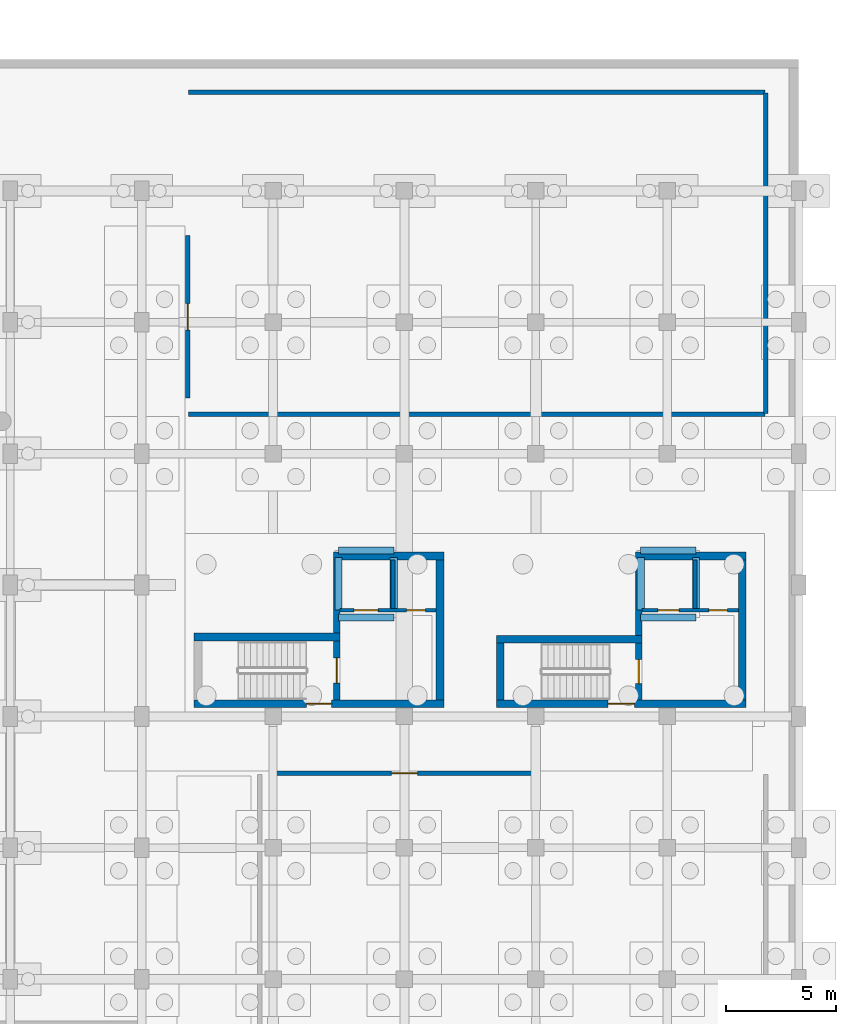
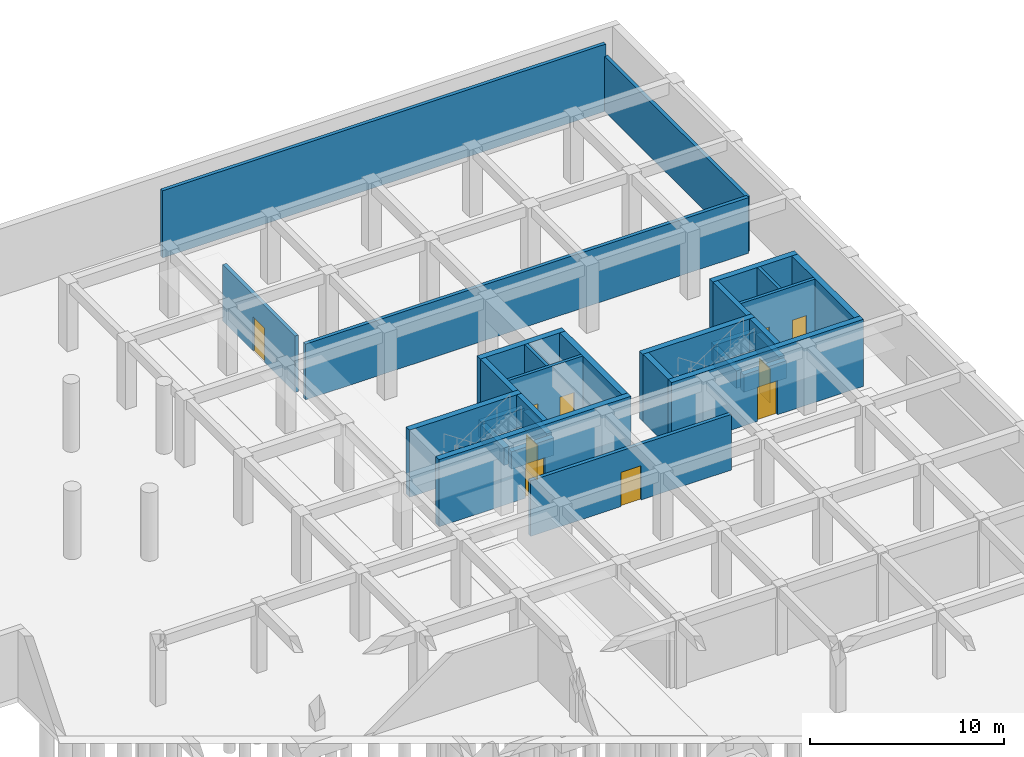
# One storey, part 34 of 41: 30 walls, 10 doors, 10 openings.
"""IFC4 building model written with IfcOpenShell, lengths in metres."""

from ifc_helpers import new_model, si_unit, direction, frame, frame_2d, origin, place, context, subcontext, project, spatial, rectangle, extrude, material, layer, layer_set, type_object, element, fill, save


model = new_model("IFC4")

# Units and contexts
model_context = context("Model", 3, precision=1e-05, world=origin(), true_north=direction((0.0, 1.0)))
body_context = subcontext(model_context, "Body", "Model", "MODEL_VIEW")
ifc_project = project(units=[si_unit("LENGTHUNIT", "METRE"), si_unit("AREAUNIT", "SQUARE_METRE"), si_unit("VOLUMEUNIT", "CUBIC_METRE"), si_unit("PLANEANGLEUNIT", "RADIAN"), si_unit("MASSUNIT", "GRAM", prefix="KILO"), si_unit("POWERUNIT", "WATT"), si_unit("THERMODYNAMICTEMPERATUREUNIT", "KELVIN")], contexts=[model_context])

# Site, building, storey
site_placement = place(None, origin())
site = spatial("IfcSite", under=ifc_project, at=site_placement, CompositionType="ELEMENT")
building_placement = place(site_placement, origin())
building = spatial("IfcBuilding", under=site, at=building_placement, Name="Ruvembo Vaulted Housing Court", CompositionType="ELEMENT")
storey_placement = place(building_placement, frame((0.0, 0.0, -4.5)))
storey = spatial("IfcBuildingStorey", under=building, at=storey_placement, Name="B1", CompositionType="ELEMENT", Elevation=-4.5)

# Wall, opening, door
ifc_material_1 = material(Name="Concrete C35/45", Category="concrete")
ifc_layer_1 = layer(ifc_material_1, 0.300048828125, Name="Concrete C35/45")
ifc_layer_set_1 = layer_set([ifc_layer_1], Name="Concrete C35/45")
wall_type_1 = type_object("IfcWallType", Name="WL-CORE-300", PredefinedType="SHEAR", material=ifc_layer_set_1)
wall_1_placement = place(storey_placement, frame((164.89990234375, 84.75, 0.0), z_axis=(0.0, 0.0, 1.0), x_axis=(0.0, 1.0, 0.0)))
wall_1 = element("IfcWall", 1, at=wall_1_placement, inside=storey, type_object=wall_type_1, Name="Core D1 B1 Stair-Lobby Shear Wall", PredefinedType="SHEAR", context=body_context, shape_type="SweptSolid", body=[
    extrude(rectangle(XDim=2.699951171875, YDim=0.300048828125, at=frame_2d((1.35009765625, 0.0))), origin(), (0.0, 0.0, 1.0), 4.215087890625),
])
opening_1_placement = place(wall_1_placement, frame((0.77490234375, 0.0, 0.0)))
opening_1 = element("IfcOpeningElement", 2, at=opening_1_placement, cuts=wall_1, Name="Opening SD1", PredefinedType="OPENING", context=body_context, shape_type="SweptSolid", body=[
    extrude(rectangle(XDim=1.14990234375, YDim=2.14990234375, at=frame_2d((0.574951171875, 1.074951171875))), frame((0.0, 0.159912109375, 0.0), z_axis=(0.0, -1.0, 0.0), x_axis=(1.0, 0.0, 0.0)), (0.0, 0.0, 1.0), 0.320068359375),
])
ifc_material_2 = material(Name="Galvanised Painted Steel", Category="steel")
door_type_1 = type_object("IfcDoorType", Name="DR-STAIR-1150x2150", OperationType="NOTDEFINED", PredefinedType="DOOR", material=ifc_material_2)
door_1_placement = place(opening_1_placement, origin())
door_1 = element("IfcDoor", 3, at=door_1_placement, inside=storey, type_object=door_type_1, Name="Stair ST-D1 B1 Fire Door", OperationType="SINGLE_SWING_RIGHT", OverallHeight=2.14990234375, OverallWidth=1.14990234375, PredefinedType="DOOR", context=body_context, shape_type="SweptSolid", body=[
    extrude(rectangle(XDim=1.14990234375, YDim=2.14990234375, at=frame_2d((0.574951171875, 1.074951171875))), frame((0.0, 0.02490234375, 0.0), z_axis=(0.0, -1.0, 0.0), x_axis=(1.0, 0.0, 0.0)), (0.0, 0.0, 1.0), 0.050048828125),
])
fill(opening_1, door_1)

# Wall
wall_2_placement = place(storey_placement, frame((164.89990234375, 87.800048828125, 0.0), z_axis=(0.0, 0.0, 1.0), x_axis=(0.0, 1.0, 0.0)))
element("IfcWall", 4, at=wall_2_placement, inside=storey, type_object=wall_type_1, Name="Core D1 B1 Upper West Shear Wall", PredefinedType="SHEAR", context=body_context, shape_type="SweptSolid", body=[
    extrude(rectangle(XDim=3.349853515625, YDim=0.300048828125, at=frame_2d((1.6748046875, 0.0))), origin(), (0.0, 0.0, 1.0), 4.215087890625),
])

# Wall, opening, door
wall_3_placement = place(storey_placement, frame((178.699951171875, 84.75, 0.0), z_axis=(0.0, 0.0, 1.0), x_axis=(0.0, 1.0, 0.0)))
wall_3 = element("IfcWall", 5, at=wall_3_placement, inside=storey, type_object=wall_type_1, Name="Core D2 B1 Stair-Lobby Shear Wall", PredefinedType="SHEAR", context=body_context, shape_type="SweptSolid", body=[
    extrude(rectangle(XDim=2.60009765625, YDim=0.300048828125, at=frame_2d((1.300048828125, 0.0))), origin(), (0.0, 0.0, 1.0), 4.215087890625),
])
opening_2_placement = place(wall_3_placement, frame((0.75, 0.0, 0.0)))
opening_2 = element("IfcOpeningElement", 6, at=opening_2_placement, cuts=wall_3, Name="Opening SD2", PredefinedType="OPENING", context=body_context, shape_type="SweptSolid", body=[
    extrude(rectangle(XDim=1.10009765625, YDim=2.14990234375, at=frame_2d((0.550048828125, 1.074951171875))), frame((0.0, 0.159912109375, 0.0), z_axis=(0.0, -1.0, 0.0), x_axis=(1.0, 0.0, 0.0)), (0.0, 0.0, 1.0), 0.320068359375),
])
door_type_2 = type_object("IfcDoorType", Name="DR-STAIR-1100x2150", OperationType="NOTDEFINED", PredefinedType="DOOR", material=ifc_material_2)
door_2_placement = place(opening_2_placement, origin())
door_2 = element("IfcDoor", 7, at=door_2_placement, inside=storey, type_object=door_type_2, Name="Stair ST-D2 B1 Fire Door", OperationType="SINGLE_SWING_RIGHT", OverallHeight=2.14990234375, OverallWidth=1.10009765625, PredefinedType="DOOR", context=body_context, shape_type="SweptSolid", body=[
    extrude(rectangle(XDim=1.10009765625, YDim=2.14990234375, at=frame_2d((0.550048828125, 1.074951171875))), frame((0.0, 0.02490234375, 0.0), z_axis=(0.0, -1.0, 0.0), x_axis=(1.0, 0.0, 0.0)), (0.0, 0.0, 1.0), 0.050048828125),
])
fill(opening_2, door_2)

# Wall
wall_4_placement = place(storey_placement, frame((178.699951171875, 87.699951171875, 0.0), z_axis=(0.0, 0.0, 1.0), x_axis=(0.0, 1.0, 0.0)))
element("IfcWall", 8, at=wall_4_placement, inside=storey, type_object=wall_type_1, Name="Core D2 B1 Upper West Shear Wall", PredefinedType="SHEAR", context=body_context, shape_type="SweptSolid", body=[
    extrude(rectangle(XDim=3.449951171875, YDim=0.300048828125, at=frame_2d((1.72509765625, 0.0))), origin(), (0.0, 0.0, 1.0), 4.215087890625),
])

# Wall, opening, door
ifc_layer_2 = layer(ifc_material_1, 0.35009765625, Name="Concrete C35/45")
ifc_layer_set_2 = layer_set([ifc_layer_2], Name="Concrete C35/45")
wall_type_2 = type_object("IfcWallType", Name="WL-CORE-350", PredefinedType="SHEAR", material=ifc_layer_set_2)
wall_5_placement = place(storey_placement, frame((158.39990234375, 84.574951171875, 0.0), z_axis=(0.0, 0.0, 1.0), x_axis=(1.0, 0.0, 0.0)))
wall_5 = element("IfcWall", 9, at=wall_5_placement, inside=storey, type_object=wall_type_2, Name="Core D1 B1 South Shear Wall", PredefinedType="SHEAR", context=body_context, shape_type="SweptSolid", body=[
    extrude(rectangle(XDim=11.400146484375, YDim=0.35009765625, at=frame_2d((5.7001953125, 0.0))), origin(), (0.0, 0.0, 1.0), 4.215087890625),
])
opening_3_placement = place(wall_5_placement, frame((5.125, 0.0, 0.0)))
opening_3 = element("IfcOpeningElement", 10, at=opening_3_placement, cuts=wall_5, Name="Opening LD0", PredefinedType="OPENING", context=body_context, shape_type="SweptSolid", body=[
    extrude(rectangle(XDim=1.14990234375, YDim=2.14990234375, at=frame_2d((0.574951171875, 1.074951171875))), frame((0.0, 0.18505859375, 0.0), z_axis=(0.0, -1.0, 0.0), x_axis=(1.0, 0.0, 0.0)), (0.0, 0.0, 1.0), 0.3701171875),
])
door_type_3 = type_object("IfcDoorType", Name="DR-LOB-1150x2150", OperationType="NOTDEFINED", PredefinedType="DOOR", material=ifc_material_2)
door_3_placement = place(opening_3_placement, origin())
door_3 = element("IfcDoor", 11, at=door_3_placement, inside=storey, type_object=door_type_3, Name="Core D1 B1 Lobby Fire Door", OperationType="SINGLE_SWING_LEFT", OverallHeight=2.14990234375, OverallWidth=1.14990234375, PredefinedType="DOOR", context=body_context, shape_type="SweptSolid", body=[
    extrude(rectangle(XDim=1.14990234375, YDim=2.14990234375, at=frame_2d((0.574951171875, 1.074951171875))), frame((0.0, 0.02490234375, 0.0), z_axis=(0.0, -1.0, 0.0), x_axis=(1.0, 0.0, 0.0)), (0.0, 0.0, 1.0), 0.050048828125),
])
fill(opening_3, door_3)

# Walls
wall_6_placement = place(storey_placement, frame((165.050048828125, 87.625, 0.0), z_axis=(0.0, 0.0, 1.0), x_axis=(-1.0, 0.0, 0.0)))
element("IfcWall", 12, at=wall_6_placement, inside=storey, type_object=wall_type_2, Name="Core D1 B1 Stair North Shear Wall", PredefinedType="SHEAR", context=body_context, shape_type="SweptSolid", body=[
    extrude(rectangle(XDim=6.650146484375, YDim=0.35009765625, at=frame_2d((3.3251953125, 0.0))), origin(), (0.0, 0.0, 1.0), 4.215087890625),
])
wall_7_placement = place(storey_placement, frame((169.800048828125, 91.324951171875, 0.0), z_axis=(0.0, 0.0, 1.0), x_axis=(-1.0, 0.0, 0.0)))
element("IfcWall", 13, at=wall_7_placement, inside=storey, type_object=wall_type_2, Name="Core D1 B1 North Shear Wall", PredefinedType="SHEAR", context=body_context, shape_type="SweptSolid", body=[
    extrude(rectangle(XDim=5.050048828125, YDim=0.35009765625, at=frame_2d((2.52490234375, 0.0))), origin(), (0.0, 0.0, 1.0), 4.215087890625),
])
wall_8_placement = place(storey_placement, frame((169.625, 84.75, 0.0), z_axis=(0.0, 0.0, 1.0), x_axis=(0.0, 1.0, 0.0)))
element("IfcWall", 14, at=wall_8_placement, inside=storey, type_object=wall_type_2, Name="Core D1 B1 East Shear Wall", PredefinedType="SHEAR", context=body_context, shape_type="SweptSolid", body=[
    extrude(rectangle(XDim=6.39990234375, YDim=0.35009765625, at=frame_2d((3.199951171875, 0.0))), origin(), (0.0, 0.0, 1.0), 4.215087890625),
])

# Wall, opening, door
wall_9_placement = place(storey_placement, frame((172.199951171875, 84.574951171875, 0.0), z_axis=(0.0, 0.0, 1.0), x_axis=(1.0, 0.0, 0.0)))
wall_9 = element("IfcWall", 15, at=wall_9_placement, inside=storey, type_object=wall_type_2, Name="Core D2 B1 South Shear Wall", PredefinedType="SHEAR", context=body_context, shape_type="SweptSolid", body=[
    extrude(rectangle(XDim=11.400146484375, YDim=0.35009765625, at=frame_2d((5.7001953125, 0.0))), origin(), (0.0, 0.0, 1.0), 4.215087890625),
])
opening_4_placement = place(wall_9_placement, frame((5.10009765625, 0.0, 0.0)))
opening_4 = element("IfcOpeningElement", 16, at=opening_4_placement, cuts=wall_9, Name="Opening LD3", PredefinedType="OPENING", context=body_context, shape_type="SweptSolid", body=[
    extrude(rectangle(XDim=1.199951171875, YDim=2.14990234375, at=frame_2d((0.60009765625, 1.074951171875))), frame((0.0, 0.18505859375, 0.0), z_axis=(0.0, -1.0, 0.0), x_axis=(1.0, 0.0, 0.0)), (0.0, 0.0, 1.0), 0.3701171875),
])
door_type_4 = type_object("IfcDoorType", Name="DR-LOB-1200x2150", OperationType="NOTDEFINED", PredefinedType="DOOR", material=ifc_material_2)
door_4_placement = place(opening_4_placement, origin())
door_4 = element("IfcDoor", 17, at=door_4_placement, inside=storey, type_object=door_type_4, Name="Core D2 B1 Lobby Fire Door", OperationType="SINGLE_SWING_LEFT", OverallHeight=2.14990234375, OverallWidth=1.199951171875, PredefinedType="DOOR", context=body_context, shape_type="SweptSolid", body=[
    extrude(rectangle(XDim=1.199951171875, YDim=2.14990234375, at=frame_2d((0.60009765625, 1.074951171875))), frame((0.0, 0.02490234375, 0.0), z_axis=(0.0, -1.0, 0.0), x_axis=(1.0, 0.0, 0.0)), (0.0, 0.0, 1.0), 0.050048828125),
])
fill(opening_4, door_4)

# Walls
wall_10_placement = place(storey_placement, frame((178.85009765625, 87.52490234375, 0.0), z_axis=(0.0, 0.0, 1.0), x_axis=(-1.0, 0.0, 0.0)))
element("IfcWall", 18, at=wall_10_placement, inside=storey, type_object=wall_type_2, Name="Core D2 B1 Stair North Shear Wall", PredefinedType="SHEAR", context=body_context, shape_type="SweptSolid", body=[
    extrude(rectangle(XDim=6.650146484375, YDim=0.35009765625, at=frame_2d((3.3251953125, 0.0))), origin(), (0.0, 0.0, 1.0), 4.215087890625),
])
wall_11_placement = place(storey_placement, frame((172.375, 87.35009765625, 0.0), z_axis=(0.0, 0.0, 1.0), x_axis=(0.0, -1.0, 0.0)))
element("IfcWall", 19, at=wall_11_placement, inside=storey, type_object=wall_type_2, Name="Core D2 B1 Stair West Shear Wall", PredefinedType="SHEAR", context=body_context, shape_type="SweptSolid", body=[
    extrude(rectangle(XDim=2.60009765625, YDim=0.35009765625, at=frame_2d((1.300048828125, 0.0))), origin(), (0.0, 0.0, 1.0), 4.215087890625),
])
wall_12_placement = place(storey_placement, frame((183.60009765625, 91.324951171875, 0.0), z_axis=(0.0, 0.0, 1.0), x_axis=(-1.0, 0.0, 0.0)))
element("IfcWall", 20, at=wall_12_placement, inside=storey, type_object=wall_type_2, Name="Core D2 B1 North Shear Wall", PredefinedType="SHEAR", context=body_context, shape_type="SweptSolid", body=[
    extrude(rectangle(XDim=5.050048828125, YDim=0.35009765625, at=frame_2d((2.52490234375, 0.0))), origin(), (0.0, 0.0, 1.0), 4.215087890625),
])
wall_13_placement = place(storey_placement, frame((183.425048828125, 84.75, 0.0), z_axis=(0.0, 0.0, 1.0), x_axis=(0.0, 1.0, 0.0)))
element("IfcWall", 21, at=wall_13_placement, inside=storey, type_object=wall_type_2, Name="Core D2 B1 East Shear Wall", PredefinedType="SHEAR", context=body_context, shape_type="SweptSolid", body=[
    extrude(rectangle(XDim=6.39990234375, YDim=0.35009765625, at=frame_2d((3.199951171875, 0.0))), origin(), (0.0, 0.0, 1.0), 4.215087890625),
])

# Wall, opening, door
ifc_material_3 = material(Name="Concrete Blockwork 210", Category="masonry")
ifc_layer_3 = layer(ifc_material_3, 0.2099609375, Name="Concrete Blockwork 210")
ifc_layer_set_3 = layer_set([ifc_layer_3], Name="Concrete Blockwork 210")
wall_type_3 = type_object("IfcWallType", Name="WL-CORR-210", PredefinedType="SOLIDWALL", material=ifc_layer_set_3)
wall_14_placement = place(storey_placement, frame((162.0400390625, 81.39990234375, 0.0), z_axis=(0.0, 0.0, 1.0), x_axis=(1.0, 0.0, 0.0)))
wall_14 = element("IfcWall", 22, at=wall_14_placement, inside=storey, type_object=wall_type_3, Name="B1 Bicycle Storage & Cargo Hub East WL-INT-B1-00025", PredefinedType="SOLIDWALL", context=body_context, shape_type="SweptSolid", body=[
    extrude(rectangle(XDim=11.919921875, YDim=0.2099609375, at=frame_2d((5.9599609375, 0.0))), origin(), (0.0, 0.0, 1.0), 3.4970703125),
])
opening_5_placement = place(wall_14_placement, frame((5.360107421875, 0.0, 0.0)))
opening_5 = element("IfcOpeningElement", 23, at=opening_5_placement, cuts=wall_14, Name="Opening PD1", PredefinedType="OPENING", context=body_context, shape_type="SweptSolid", body=[
    extrude(rectangle(XDim=1.199951171875, YDim=2.14990234375, at=frame_2d((0.60009765625, 1.074951171875))), frame((0.0, 0.114990234375, 0.0), z_axis=(0.0, -1.0, 0.0), x_axis=(1.0, 0.0, 0.0)), (0.0, 0.0, 1.0), 0.22998046875),
])
door_type_5 = type_object("IfcDoorType", Name="DR-PLANT-1200x2150", OperationType="NOTDEFINED", PredefinedType="DOOR", material=ifc_material_2)
door_5_placement = place(opening_5_placement, origin())
door_5 = element("IfcDoor", 24, at=door_5_placement, inside=storey, type_object=door_type_5, Name="B1 Bicycle Storage & Cargo Hub East Door DR-INT-B1-00007", OperationType="SINGLE_SWING_LEFT", OverallHeight=2.14990234375, OverallWidth=1.199951171875, PredefinedType="DOOR", context=body_context, shape_type="SweptSolid", body=[
    extrude(rectangle(XDim=1.199951171875, YDim=2.14990234375, at=frame_2d((0.60009765625, 1.074951171875))), frame((0.0, 0.02490234375, 0.0), z_axis=(0.0, -1.0, 0.0), x_axis=(1.0, 0.0, 0.0)), (0.0, 0.0, 1.0), 0.050048828125),
])
fill(opening_5, door_5)

wall_15_placement = place(storey_placement, frame((158.10009765625, 98.5400390625, 0.0), z_axis=(0.0, 0.0, 1.0), x_axis=(0.0, 1.0, 0.0)))
wall_15 = element("IfcWall", 25, at=wall_15_placement, inside=storey, type_object=wall_type_3, Name="B1 Fire Sprinkler Tank & Pump Room WL-INT-B1-00029", PredefinedType="SOLIDWALL", context=body_context, shape_type="SweptSolid", body=[
    extrude(rectangle(XDim=7.419921875, YDim=0.2099609375, at=frame_2d((3.7099609375, 0.0))), origin(), (0.0, 0.0, 1.0), 3.547119140625),
])
opening_6_placement = place(wall_15_placement, frame((3.110107421875, 0.0, 0.0)))
opening_6 = element("IfcOpeningElement", 26, at=opening_6_placement, cuts=wall_15, Name="Opening PD1", PredefinedType="OPENING", context=body_context, shape_type="SweptSolid", body=[
    extrude(rectangle(XDim=1.199951171875, YDim=2.14990234375, at=frame_2d((0.60009765625, 1.074951171875))), frame((0.0, 0.114990234375, 0.0), z_axis=(0.0, -1.0, 0.0), x_axis=(1.0, 0.0, 0.0)), (0.0, 0.0, 1.0), 0.22998046875),
])
door_6_placement = place(opening_6_placement, origin())
door_6 = element("IfcDoor", 27, at=door_6_placement, inside=storey, type_object=door_type_5, Name="B1 Fire Sprinkler Tank & Pump Room Door DR-INT-B1-00008", OperationType="SINGLE_SWING_RIGHT", OverallHeight=2.14990234375, OverallWidth=1.199951171875, PredefinedType="DOOR", context=body_context, shape_type="SweptSolid", body=[
    extrude(rectangle(XDim=1.199951171875, YDim=2.14990234375, at=frame_2d((0.60009765625, 1.074951171875))), frame((0.0, 0.02490234375, 0.0), z_axis=(0.0, -1.0, 0.0), x_axis=(1.0, 0.0, 0.0)), (0.0, 0.0, 1.0), 0.050048828125),
])
fill(opening_6, door_6)

# Walls
wall_16_placement = place(storey_placement, frame((158.139892578125, 97.800048828125, 0.0), z_axis=(0.0, 0.0, 1.0), x_axis=(1.0, 0.0, 0.0)))
element("IfcWall", 28, at=wall_16_placement, inside=storey, type_object=wall_type_3, Name="B1 Fire Sprinkler Tank & Pump Room WL-INT-B1-00030", PredefinedType="SOLIDWALL", context=body_context, shape_type="SweptSolid", body=[
    extrude(rectangle(XDim=26.320068359375, YDim=0.2099609375, at=frame_2d((13.16015625, 0.0))), origin(), (0.0, 0.0, 1.0), 3.4970703125),
])
wall_17_placement = place(storey_placement, frame((184.5, 97.840087890625, 0.0), z_axis=(0.0, 0.0, 1.0), x_axis=(0.0, 1.0, 0.0)))
element("IfcWall", 29, at=wall_17_placement, inside=storey, type_object=wall_type_3, Name="B1 Fire Sprinkler Tank & Pump Room WL-INT-B1-00031", PredefinedType="SOLIDWALL", context=body_context, shape_type="SweptSolid", body=[
    extrude(rectangle(XDim=14.619873046875, YDim=0.2099609375, at=frame_2d((7.31005859375, 0.0))), origin(), (0.0, 0.0, 1.0), 3.447021484375),
])
wall_18_placement = place(storey_placement, frame((184.4599609375, 112.5, 0.0), z_axis=(0.0, 0.0, 1.0), x_axis=(-1.0, 0.0, 0.0)))
element("IfcWall", 30, at=wall_18_placement, inside=storey, type_object=wall_type_3, Name="B1 Fire Sprinkler Tank & Pump Room WL-INT-B1-00032", PredefinedType="SOLIDWALL", context=body_context, shape_type="SweptSolid", body=[
    extrude(rectangle(XDim=26.320068359375, YDim=0.2099609375, at=frame_2d((13.16015625, 0.0))), origin(), (0.0, 0.0, 1.0), 4.215087890625),
])
ifc_layer_4 = layer(ifc_material_1, 0.324951171875, Name="Concrete C35/45")
ifc_layer_set_4 = layer_set([ifc_layer_4], Name="Concrete C35/45")
wall_type_4 = type_object("IfcWallType", Name="WL-PIT-325", PredefinedType="SHEAR", material=ifc_layer_set_4)
wall_19_placement = place(storey_placement, frame((164.987548828125, 88.52490234375, -1.10009765625), z_axis=(0.0, 0.0, 1.0), x_axis=(1.0, 0.0, 0.0)))
element("IfcWall", 31, at=wall_19_placement, inside=storey, type_object=wall_type_4, Name="Lift LP-D1 Pit Wall 1", PredefinedType="SHEAR", context=body_context, shape_type="SweptSolid", body=[
    extrude(rectangle(XDim=2.52490234375, YDim=0.324951171875, at=frame_2d((1.262451171875, 0.0))), origin(), (0.0, 0.0, 1.0), 1.10009765625),
])
wall_20_placement = place(storey_placement, frame((167.512451171875, 88.85009765625, -1.10009765625), z_axis=(0.0, 0.0, 1.0), x_axis=(0.0, 1.0, 0.0)))
element("IfcWall", 32, at=wall_20_placement, inside=storey, type_object=wall_type_4, Name="Lift LP-D1 Pit Wall 2", PredefinedType="SHEAR", context=body_context, shape_type="SweptSolid", body=[
    extrude(rectangle(XDim=2.39990234375, YDim=0.324951171875, at=frame_2d((1.199951171875, 0.0))), origin(), (0.0, 0.0, 1.0), 1.10009765625),
])
wall_21_placement = place(storey_placement, frame((167.512451171875, 91.574951171875, -1.10009765625), z_axis=(0.0, 0.0, 1.0), x_axis=(-1.0, 0.0, 0.0)))
element("IfcWall", 33, at=wall_21_placement, inside=storey, type_object=wall_type_4, Name="Lift LP-D1 Pit Wall 3", PredefinedType="SHEAR", context=body_context, shape_type="SweptSolid", body=[
    extrude(rectangle(XDim=2.52490234375, YDim=0.324951171875, at=frame_2d((1.262451171875, 0.0))), origin(), (0.0, 0.0, 1.0), 1.10009765625),
])
wall_22_placement = place(storey_placement, frame((164.987548828125, 91.25, -1.10009765625), z_axis=(0.0, 0.0, 1.0), x_axis=(0.0, -1.0, 0.0)))
element("IfcWall", 34, at=wall_22_placement, inside=storey, type_object=wall_type_4, Name="Lift LP-D1 Pit Wall 4", PredefinedType="SHEAR", context=body_context, shape_type="SweptSolid", body=[
    extrude(rectangle(XDim=2.39990234375, YDim=0.324951171875, at=frame_2d((1.199951171875, 0.0))), origin(), (0.0, 0.0, 1.0), 1.10009765625),
])
wall_23_placement = place(storey_placement, frame((178.78759765625, 88.52490234375, -1.10009765625), z_axis=(0.0, 0.0, 1.0), x_axis=(1.0, 0.0, 0.0)))
element("IfcWall", 35, at=wall_23_placement, inside=storey, type_object=wall_type_4, Name="Lift LP-D2 Pit Wall 1", PredefinedType="SHEAR", context=body_context, shape_type="SweptSolid", body=[
    extrude(rectangle(XDim=2.52490234375, YDim=0.324951171875, at=frame_2d((1.262451171875, 0.0))), origin(), (0.0, 0.0, 1.0), 1.10009765625),
])
wall_24_placement = place(storey_placement, frame((181.3125, 88.85009765625, -1.10009765625), z_axis=(0.0, 0.0, 1.0), x_axis=(0.0, 1.0, 0.0)))
element("IfcWall", 36, at=wall_24_placement, inside=storey, type_object=wall_type_4, Name="Lift LP-D2 Pit Wall 2", PredefinedType="SHEAR", context=body_context, shape_type="SweptSolid", body=[
    extrude(rectangle(XDim=2.39990234375, YDim=0.324951171875, at=frame_2d((1.199951171875, 0.0))), origin(), (0.0, 0.0, 1.0), 1.10009765625),
])
wall_25_placement = place(storey_placement, frame((181.3125, 91.574951171875, -1.10009765625), z_axis=(0.0, 0.0, 1.0), x_axis=(-1.0, 0.0, 0.0)))
element("IfcWall", 37, at=wall_25_placement, inside=storey, type_object=wall_type_4, Name="Lift LP-D2 Pit Wall 3", PredefinedType="SHEAR", context=body_context, shape_type="SweptSolid", body=[
    extrude(rectangle(XDim=2.52490234375, YDim=0.324951171875, at=frame_2d((1.262451171875, 0.0))), origin(), (0.0, 0.0, 1.0), 1.10009765625),
])
wall_26_placement = place(storey_placement, frame((178.78759765625, 91.25, -1.10009765625), z_axis=(0.0, 0.0, 1.0), x_axis=(0.0, -1.0, 0.0)))
element("IfcWall", 38, at=wall_26_placement, inside=storey, type_object=wall_type_4, Name="Lift LP-D2 Pit Wall 4", PredefinedType="SHEAR", context=body_context, shape_type="SweptSolid", body=[
    extrude(rectangle(XDim=2.39990234375, YDim=0.324951171875, at=frame_2d((1.199951171875, 0.0))), origin(), (0.0, 0.0, 1.0), 1.10009765625),
])

# Wall, openings, doors
ifc_material_4 = material(Name="Fire-Rated Masonry Shaft 180", Category="masonry")
ifc_layer_5 = layer(ifc_material_4, 0.179931640625, Name="Fire-Rated Masonry Shaft 180")
ifc_layer_set_5 = layer_set([ifc_layer_5], Name="Fire-Rated Masonry Shaft 180")
wall_type_5 = type_object("IfcWallType", Name="WL-SHAFT-180", PredefinedType="SOLIDWALL", material=ifc_layer_set_5)
wall_27_placement = place(storey_placement, frame((165.050048828125, 88.85009765625, 0.0), z_axis=(0.0, 0.0, 1.0), x_axis=(1.0, 0.0, 0.0)))
wall_27 = element("IfcWall", 39, at=wall_27_placement, inside=storey, type_object=wall_type_5, Name="Core D1 B1 Lift and Riser Front Wall", PredefinedType="SOLIDWALL", context=body_context, shape_type="SweptSolid", body=[
    extrude(rectangle(XDim=4.39990234375, YDim=0.179931640625, at=frame_2d((2.199951171875, 0.0))), origin(), (0.0, 0.0, 1.0), 4.215087890625),
])
opening_7_placement = place(wall_27_placement, frame((0.64990234375, 0.0, 0.0)))
opening_7 = element("IfcOpeningElement", 40, at=opening_7_placement, cuts=wall_27, Name="Opening LD-LP-D1-B1", PredefinedType="OPENING", context=body_context, shape_type="SweptSolid", body=[
    extrude(rectangle(XDim=1.10009765625, YDim=2.14990234375, at=frame_2d((0.550048828125, 1.074951171875))), frame((0.0, 0.099853515625, 0.0), z_axis=(0.0, -1.0, 0.0), x_axis=(1.0, 0.0, 0.0)), (0.0, 0.0, 1.0), 0.199951171875),
])
opening_8_placement = place(wall_27_placement, frame((3.050048828125, 0.0, 0.0)))
opening_8 = element("IfcOpeningElement", 41, at=opening_8_placement, cuts=wall_27, Name="Opening RD1", PredefinedType="OPENING", context=body_context, shape_type="SweptSolid", body=[
    extrude(rectangle(XDim=0.85009765625, YDim=2.10009765625, at=frame_2d((0.425048828125, 1.050048828125))), frame((0.0, 0.099853515625, 0.0), z_axis=(0.0, -1.0, 0.0), x_axis=(1.0, 0.0, 0.0)), (0.0, 0.0, 1.0), 0.199951171875),
])
ifc_material_5 = material(Name="Brushed Stainless Steel 304", Category="steel")
door_type_6 = type_object("IfcDoorType", Name="DR-LIFT-1100x2150", OperationType="NOTDEFINED", PredefinedType="DOOR", material=ifc_material_5)
door_7_placement = place(opening_7_placement, origin())
door_7 = element("IfcDoor", 42, at=door_7_placement, inside=storey, type_object=door_type_6, Name="Lift LP-D1 B1 Sliding Landing Door", OperationType="SLIDING_TO_LEFT", OverallHeight=2.14990234375, OverallWidth=1.10009765625, PredefinedType="DOOR", context=body_context, shape_type="SweptSolid", body=[
    extrude(rectangle(XDim=1.10009765625, YDim=2.14990234375, at=frame_2d((0.550048828125, 1.074951171875))), frame((0.0, 0.02490234375, 0.0), z_axis=(0.0, -1.0, 0.0), x_axis=(1.0, 0.0, 0.0)), (0.0, 0.0, 1.0), 0.050048828125),
])
fill(opening_7, door_7)
door_type_7 = type_object("IfcDoorType", Name="DR-RISER-0850x2100", OperationType="NOTDEFINED", PredefinedType="DOOR", material=ifc_material_2)
door_8_placement = place(opening_8_placement, frame((0.85009765625, 0.0, 0.0), z_axis=(0.0, 0.0, 1.0), x_axis=(-1.0, 0.0, 0.0)))
door_8 = element("IfcDoor", 43, at=door_8_placement, inside=storey, type_object=door_type_7, Name="Core D1 B1 Service Riser Door", OperationType="SINGLE_SWING_LEFT", OverallHeight=2.10009765625, OverallWidth=0.85009765625, PredefinedType="DOOR", context=body_context, shape_type="SweptSolid", body=[
    extrude(rectangle(XDim=0.85009765625, YDim=2.10009765625, at=frame_2d((0.425048828125, 1.050048828125))), frame((0.0, 0.02490234375, 0.0), z_axis=(0.0, -1.0, 0.0), x_axis=(1.0, 0.0, 0.0)), (0.0, 0.0, 1.0), 0.050048828125),
])
fill(opening_8, door_8)

# Wall
wall_28_placement = place(storey_placement, frame((167.469970703125, 88.93994140625, 0.0), z_axis=(0.0, 0.0, 1.0), x_axis=(0.0, 1.0, 0.0)))
element("IfcWall", 44, at=wall_28_placement, inside=storey, type_object=wall_type_5, Name="Core D1 B1 Shaft-Riser Divider Wall", PredefinedType="SOLIDWALL", context=body_context, shape_type="SweptSolid", body=[
    extrude(rectangle(XDim=2.2099609375, YDim=0.179931640625, at=frame_2d((1.10498046875, 0.0))), origin(), (0.0, 0.0, 1.0), 4.215087890625),
])

# Wall, openings, doors
wall_29_placement = place(storey_placement, frame((178.85009765625, 88.85009765625, 0.0), z_axis=(0.0, 0.0, 1.0), x_axis=(1.0, 0.0, 0.0)))
wall_29 = element("IfcWall", 45, at=wall_29_placement, inside=storey, type_object=wall_type_5, Name="Core D2 B1 Lift and Riser Front Wall", PredefinedType="SOLIDWALL", context=body_context, shape_type="SweptSolid", body=[
    extrude(rectangle(XDim=4.39990234375, YDim=0.179931640625, at=frame_2d((2.199951171875, 0.0))), origin(), (0.0, 0.0, 1.0), 4.215087890625),
])
opening_9_placement = place(wall_29_placement, frame((0.72509765625, 0.0, 0.0)))
opening_9 = element("IfcOpeningElement", 46, at=opening_9_placement, cuts=wall_29, Name="Opening LD-LP-D2-B1", PredefinedType="OPENING", context=body_context, shape_type="SweptSolid", body=[
    extrude(rectangle(XDim=0.949951171875, YDim=2.14990234375, at=frame_2d((0.47509765625, 1.074951171875))), frame((0.0, 0.099853515625, 0.0), z_axis=(0.0, -1.0, 0.0), x_axis=(1.0, 0.0, 0.0)), (0.0, 0.0, 1.0), 0.199951171875),
])
opening_10_placement = place(wall_29_placement, frame((3.050048828125, 0.0, 0.0)))
opening_10 = element("IfcOpeningElement", 47, at=opening_10_placement, cuts=wall_29, Name="Opening RD1", PredefinedType="OPENING", context=body_context, shape_type="SweptSolid", body=[
    extrude(rectangle(XDim=0.85009765625, YDim=2.10009765625, at=frame_2d((0.425048828125, 1.050048828125))), frame((0.0, 0.099853515625, 0.0), z_axis=(0.0, -1.0, 0.0), x_axis=(1.0, 0.0, 0.0)), (0.0, 0.0, 1.0), 0.199951171875),
])
door_type_8 = type_object("IfcDoorType", Name="DR-LIFT-0950x2150", OperationType="NOTDEFINED", PredefinedType="DOOR", material=ifc_material_5)
door_9_placement = place(opening_9_placement, origin())
door_9 = element("IfcDoor", 48, at=door_9_placement, inside=storey, type_object=door_type_8, Name="Lift LP-D2 B1 Sliding Landing Door", OperationType="SLIDING_TO_LEFT", OverallHeight=2.14990234375, OverallWidth=0.949951171875, PredefinedType="DOOR", context=body_context, shape_type="SweptSolid", body=[
    extrude(rectangle(XDim=0.949951171875, YDim=2.14990234375, at=frame_2d((0.47509765625, 1.074951171875))), frame((0.0, 0.02490234375, 0.0), z_axis=(0.0, -1.0, 0.0), x_axis=(1.0, 0.0, 0.0)), (0.0, 0.0, 1.0), 0.050048828125),
])
fill(opening_9, door_9)
door_10_placement = place(opening_10_placement, frame((0.85009765625, 0.0, 0.0), z_axis=(0.0, 0.0, 1.0), x_axis=(-1.0, 0.0, 0.0)))
door_10 = element("IfcDoor", 49, at=door_10_placement, inside=storey, type_object=door_type_7, Name="Core D2 B1 Service Riser Door", OperationType="SINGLE_SWING_LEFT", OverallHeight=2.10009765625, OverallWidth=0.85009765625, PredefinedType="DOOR", context=body_context, shape_type="SweptSolid", body=[
    extrude(rectangle(XDim=0.85009765625, YDim=2.10009765625, at=frame_2d((0.425048828125, 1.050048828125))), frame((0.0, 0.02490234375, 0.0), z_axis=(0.0, -1.0, 0.0), x_axis=(1.0, 0.0, 0.0)), (0.0, 0.0, 1.0), 0.050048828125),
])
fill(opening_10, door_10)

# Wall
wall_30_placement = place(storey_placement, frame((181.27001953125, 88.93994140625, 0.0), z_axis=(0.0, 0.0, 1.0), x_axis=(0.0, 1.0, 0.0)))
element("IfcWall", 50, at=wall_30_placement, inside=storey, type_object=wall_type_5, Name="Core D2 B1 Shaft-Riser Divider Wall", PredefinedType="SOLIDWALL", context=body_context, shape_type="SweptSolid", body=[
    extrude(rectangle(XDim=2.2099609375, YDim=0.179931640625, at=frame_2d((1.10498046875, 0.0))), origin(), (0.0, 0.0, 1.0), 4.215087890625),
])

save(model, "model.ifc")
